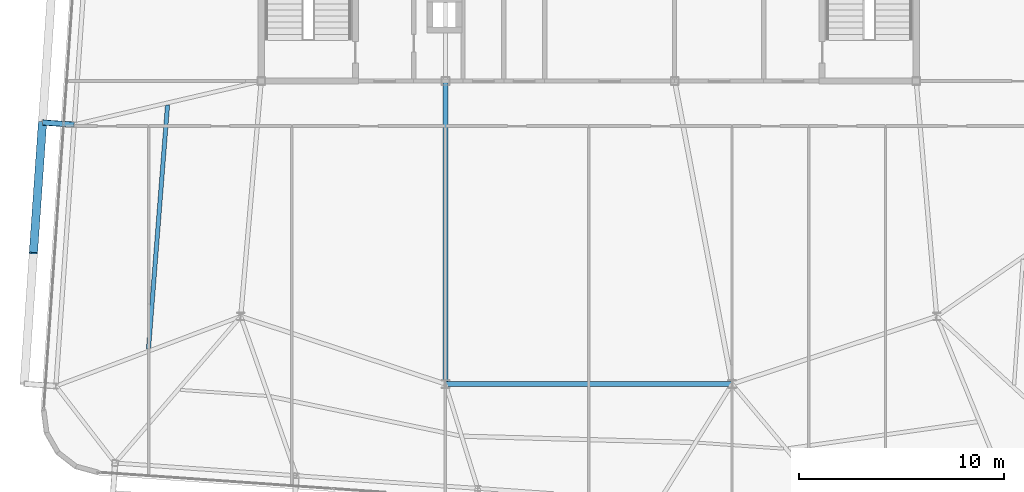
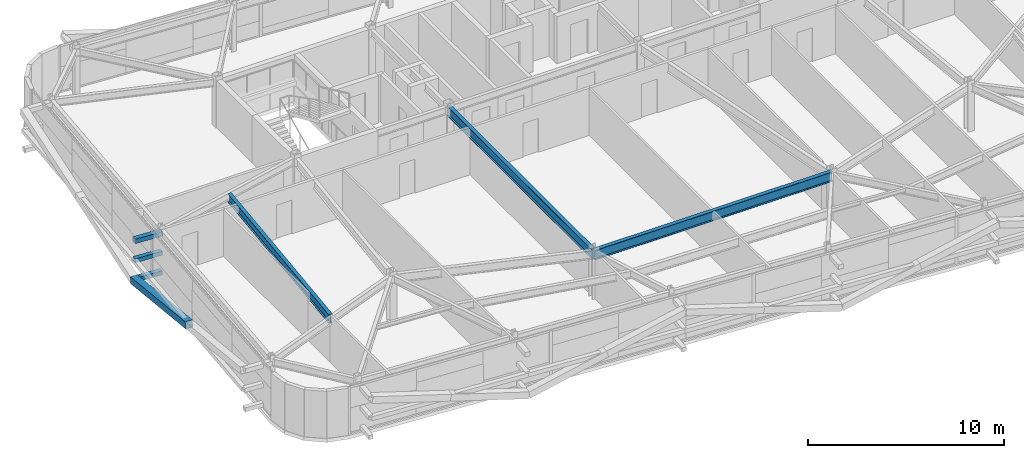
# One storey, part 10 of 39: 4 members, 3 beams.
"""IFC4 building model written with IfcOpenShell, lengths in metres."""

from ifc_helpers import new_model, si_unit, direction, frame, origin, origin_2d, place, context, subcontext, project, spatial, hollow_rectangle, i_section, extrude, source, transform, mapped, material, material_profile, profile_set, type_object, element, save


model = new_model("IFC4")

# Units and contexts
model_context = context("Model", 3, precision=1e-05, world=origin(), true_north=direction((0.0, 1.0)))
body_context = subcontext(model_context, "Body", "Model", "MODEL_VIEW")
ifc_project = project(units=[si_unit("LENGTHUNIT", "METRE"), si_unit("AREAUNIT", "SQUARE_METRE"), si_unit("VOLUMEUNIT", "CUBIC_METRE"), si_unit("PLANEANGLEUNIT", "RADIAN"), si_unit("MASSUNIT", "GRAM", prefix="KILO")], contexts=[model_context])

# Site, building, storey
site_placement = place(None, origin())
site = spatial("IfcSite", under=ifc_project, at=site_placement, CompositionType="ELEMENT")
building_placement = place(site_placement, origin())
building = spatial("IfcBuilding", under=site, at=building_placement, Name="Taldren Reach Tower", CompositionType="ELEMENT")
storey_placement = place(building_placement, frame((0.0, 0.0, 155.050048828125)))
storey = spatial("IfcBuildingStorey", under=building, at=storey_placement, Name="L47", CompositionType="ELEMENT", Elevation=155.050048828125)

# Beams
ifc_material_1 = material(Name="Steel Gr 350 (350PLUS)", Category="steel")
ifc_material_profile_1 = material_profile(ifc_material_1, i_section(OverallWidth=0.22802734375, OverallDepth=0.60205078125, WebThickness=0.010498046875, FlangeThickness=0.014892578125, at=origin_2d()), Name="610UB101")
ifc_profile_set_1 = profile_set([ifc_material_profile_1], Name="Steel Gr 350 (350PLUS)")
beam_type_1 = type_object("IfcBeamType", Name="BM-UB610B", PredefinedType="BEAM", material=ifc_profile_set_1)
shared_shape_1 = source(origin(), body_context, "Body", "SweptSolid", [
    extrude(i_section(OverallWidth=0.22802734375, OverallDepth=0.60205078125, WebThickness=0.010498046875, FlangeThickness=0.014892578125, at=origin_2d()), origin(), (0.0, 0.0, 1.0), 14.0),
])
beam_1_placement = place(storey_placement, frame((28.0, 9.199951171875, 2.62890625), z_axis=(1.0, 0.0, 0.0), x_axis=(0.0, 1.0, 0.0)))
element("IfcBeam", 1, at=beam_1_placement, inside=storey, type_object=beam_type_1, Name="Core-spine girder L47-SP11", PredefinedType="BEAM", context=body_context, shape_type="MappedRepresentation", body=[
    mapped(shared_shape_1, transform((0.0, 0.0, 0.0), scale=1.0)),
])
shared_shape_2 = source(origin(), body_context, "Body", "SweptSolid", [
    extrude(i_section(OverallWidth=0.22802734375, OverallDepth=0.60205078125, WebThickness=0.010498046875, FlangeThickness=0.014892578125, at=origin_2d()), origin(), (0.0, 0.0, 1.0), 14.800048828125),
])
beam_2_placement = place(storey_placement, frame((28.0, 24.0, 2.62890625), z_axis=(0.0, -1.0, 0.0), x_axis=(1.0, 0.0, 0.0)))
element("IfcBeam", 2, at=beam_2_placement, inside=storey, type_object=beam_type_1, Name="Core-spine girder L47-SP14", PredefinedType="BEAM", context=body_context, shape_type="MappedRepresentation", body=[
    mapped(shared_shape_2, transform((0.0, 0.0, 0.0), scale=1.0)),
])

# Members
ifc_material_2 = material(Name="Steel Gr 450 (C450L0)", Category="steel")
ifc_material_profile_2 = material_profile(ifc_material_2, hollow_rectangle(XDim=0.27490234375, YDim=0.27490234375, WallThickness=0.00927734375, at=origin_2d()), Name="275x275x9.3SHS")
ifc_profile_set_2 = profile_set([ifc_material_profile_2], Name="Steel Gr 450 (C450L0)")
member_type_1 = type_object("IfcMemberType", Name="MB-TIE273", PredefinedType="STRUT", material=ifc_profile_set_2)
shared_shape_3 = source(origin(), body_context, "Body", "SweptSolid", [
    extrude(hollow_rectangle(XDim=0.27490234375, YDim=0.27490234375, WallThickness=0.00927734375, at=origin_2d()), origin(), (0.0, 0.0, 1.0), 1.550048828125),
])
member_1_placement = place(storey_placement, frame((9.86181640625, 21.868408203125, 2.64990234375), z_axis=(-0.99756313426, 0.06976957191, 0.0), x_axis=(-0.06976957191, -0.99756313426, 0.0)))
element("IfcMember", 3, at=member_1_placement, inside=storey, type_object=member_type_1, Name="Exoskeleton diaphragm tie strut B3-W2 L47", PredefinedType="STRUT", context=body_context, shape_type="MappedRepresentation", body=[
    mapped(shared_shape_3, transform((0.0, 0.0, 0.0), scale=1.0)),
])
ifc_material_3 = material(Name="Steel Gr 350 (C350L0)", Category="steel")
ifc_material_profile_3 = material_profile(ifc_material_3, hollow_rectangle(XDim=0.25, YDim=0.25, WallThickness=0.010009765625, at=origin_2d()), Name="250x250x10.0SHS")
ifc_profile_set_3 = profile_set([ifc_material_profile_3], Name="Steel Gr 350 (C350L0)")
member_type_2 = type_object("IfcMemberType", Name="MB-POST250", PredefinedType="POST", material=ifc_profile_set_3)
shared_shape_4 = source(origin(), body_context, "Body", "SweptSolid", [
    extrude(hollow_rectangle(XDim=0.25, YDim=0.25, WallThickness=0.010009765625, at=origin_2d()), origin(), (0.0, 0.0, 1.0), 1.550048828125),
])
for number, where, z_axis, x_axis, name in (
    (4, (9.86181640625, 21.868408203125, 0.219970703125), (-0.99756313426, 0.06976957191, 0.0), (-0.06976957191, -0.99756313426, 0.0), "Exoskeleton base diaphragm tie strut B3-W2 L47"),
    (5, (9.86181640625, 21.868408203125, 1.43505859375), (-0.99756313426, 0.06976957191, 0.0), (-0.06976957191, -0.99756313426, 0.0), "Exoskeleton mid-tier diaphragm tie B3-W2 L47"),
):
    element("IfcMember", number, at=place(storey_placement, frame(where, z_axis=z_axis, x_axis=x_axis)), inside=storey, type_object=member_type_2, Name=name, PredefinedType="POST", context=body_context, shape_type="MappedRepresentation", body=[
        mapped(shared_shape_4, transform((0.0, 0.0, 0.0), scale=1.0)),
    ])

# Beam
ifc_material_profile_4 = material_profile(ifc_material_1, i_section(OverallWidth=0.208984375, OverallDepth=0.532958984375, WebThickness=0.01025390625, FlangeThickness=0.015625, at=origin_2d()), Name="530UB92.4")
ifc_profile_set_4 = profile_set([ifc_material_profile_4], Name="Steel Gr 350 (350PLUS)")
beam_type_2 = type_object("IfcBeamType", Name="BM-UB530A", PredefinedType="BEAM", material=ifc_profile_set_4)
shared_shape_5 = source(origin(), body_context, "Body", "SweptSolid", [
    extrude(i_section(OverallWidth=0.208984375, OverallDepth=0.532958984375, WebThickness=0.01025390625, FlangeThickness=0.015625, at=origin_2d()), origin(), (0.0, 0.0, 1.0), 11.965576171875),
])
beam_3_placement = place(storey_placement, frame((13.49267578125, 10.90478515625, 2.663330078125), z_axis=(0.077757433297, 0.996972307322, 0.0), x_axis=(-0.996972307322, 0.077757433297, 0.0)))
element("IfcBeam", 6, at=beam_3_placement, inside=storey, type_object=beam_type_2, Name="Secondary floor beam B3 J6 L47", PredefinedType="BEAM", context=body_context, shape_type="MappedRepresentation", body=[
    mapped(shared_shape_5, transform((0.0, 0.0, 0.0), scale=1.0)),
])

# Member
ifc_material_profile_5 = material_profile(ifc_material_2, hollow_rectangle(XDim=0.409912109375, YDim=0.409912109375, WallThickness=0.01611328125, at=origin_2d()), Name="410x410x16.0SHS")
ifc_profile_set_5 = profile_set([ifc_material_profile_5], Name="Steel Gr 450 (C450L0)")
member_type_3 = type_object("IfcMemberType", Name="MB-EXO406", PredefinedType="BRACE", material=ifc_profile_set_5)
shared_shape_6 = source(origin(), body_context, "Body", "SweptSolid", [
    extrude(hollow_rectangle(XDim=0.409912109375, YDim=0.409912109375, WallThickness=0.01611328125, at=origin_2d()), origin(), (0.0, 0.0, 1.0), 6.514404296875),
])
member_2_placement = place(storey_placement, frame((8.3154296875, 21.9765625, 0.219970703125), z_axis=(-0.068507825937, -0.980059166346, 0.186522674885), x_axis=(0.997565791441, -0.069731569223, 0.0)))
element("IfcMember", 7, at=member_2_placement, inside=storey, type_object=member_type_3, Name="Exoskeleton Diagrid Brace B3-W1 L47", PredefinedType="BRACE", context=body_context, shape_type="MappedRepresentation", body=[
    mapped(shared_shape_6, transform((0.0, 0.0, 0.0), scale=1.0)),
])

save(model, "model.ifc")
